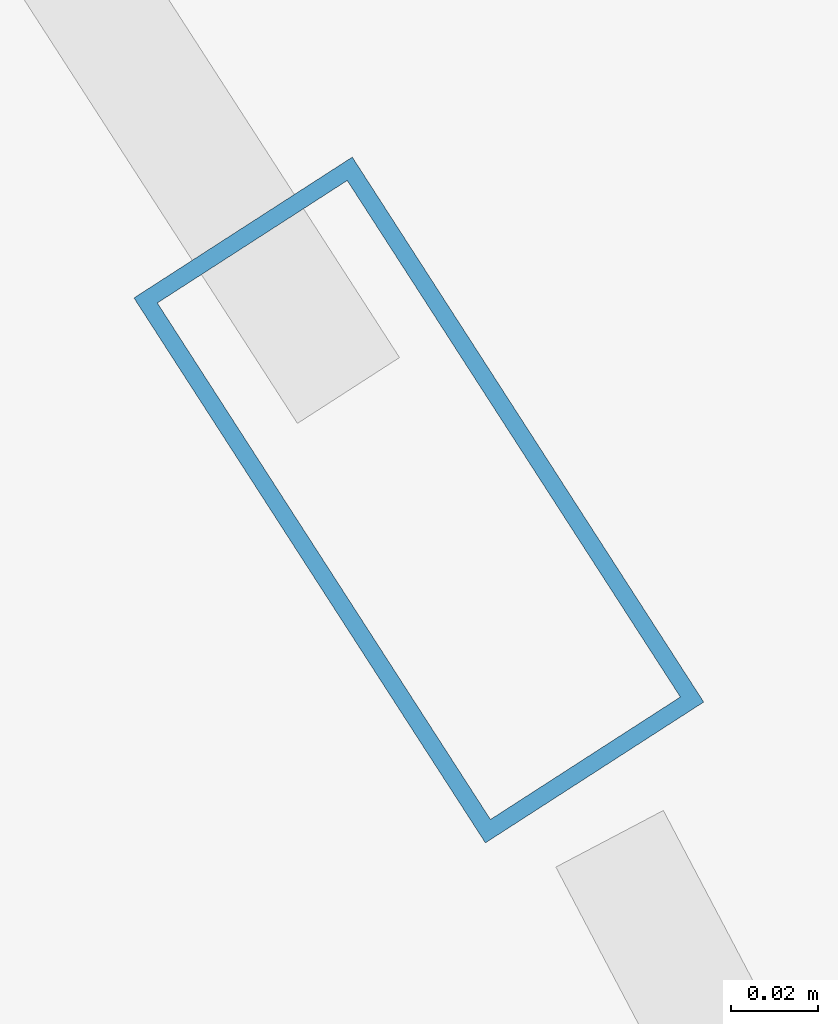
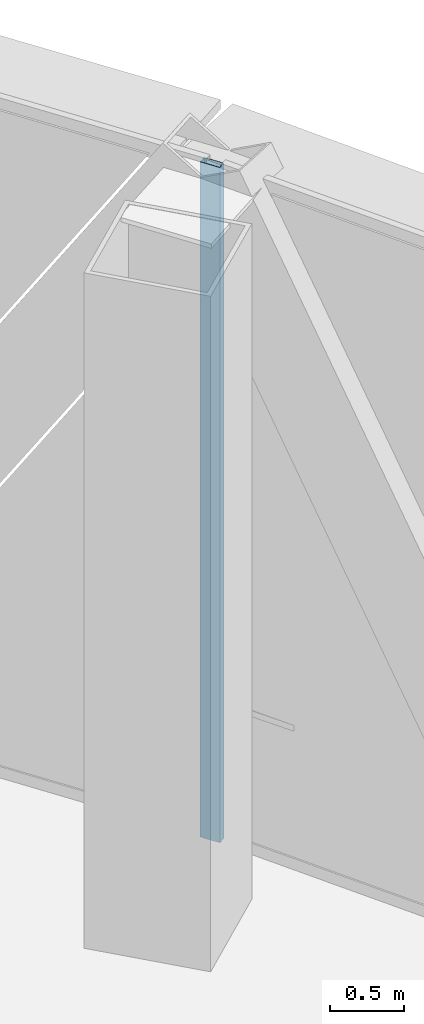
# One storey, part 20 of 38: 1 member, 1 element without a shape of its own.
"""IFC4 building model written with IfcOpenShell, lengths in metres."""

import ifcopenshell
import ifcopenshell.guid

model = None  # the IFC model being written
_history = None  # IfcOwnerHistory: only IFC2X3 demands one
_inside = {}  # id of a spatial element -> (the spatial element, [elements in it])
_under = {}  # id of a project, library or spatial element -> (it, [spatial elements below it])
_declared = {}  # id of a project -> (the project, [libraries it declares])
_typed = {}  # id of a type object -> (the type object, [elements of that type])
_made_of = {}  # id of a material, layer set ... -> (it, [elements and type objects made of it])


def new_model(schema):
    """Start an empty IFC model of exactly this schema.

    Asked for "IFC4X3", IfcOpenShell would pick the latest addendum, in which some entities
    have other attributes; the version numbers below select the first issue.
    IFC2X3 requires an IfcOwnerHistory on every rooted entity: one is made here for all.
    """
    global model, _history
    if schema == "IFC4X3":
        model = ifcopenshell.file(schema_version=(4, 3, 0, 0))
    else:
        model = ifcopenshell.file(schema=schema)
    _inside.clear()
    _under.clear()
    _declared.clear()
    _typed.clear()
    _made_of.clear()
    _history = None
    if model.schema == "IFC2X3":
        org = make("IfcOrganization", Name="unknown")
        user = make(
            "IfcPersonAndOrganization",
            ThePerson=make("IfcPerson", FamilyName="unknown"),
            TheOrganization=org,
        )
        app = make(
            "IfcApplication",
            ApplicationDeveloper=org,
            Version="unknown",
            ApplicationFullName="unknown",
            ApplicationIdentifier="unknown",
        )
        _history = make(
            "IfcOwnerHistory",
            OwningUser=user,
            OwningApplication=app,
            ChangeAction="ADDED",
            CreationDate=0,
        )
    return model


def make(cls, **values):
    """One entity of the class cls with the attributes given. An attribute that is None is left unset."""
    return model.create_entity(
        cls, **{name: value for name, value in values.items() if value is not None}
    )


def rooted(cls, **values):
    """An entity with a GlobalId (a new one), such as an element, a storey or a relation."""
    return make(cls, GlobalId=ifcopenshell.guid.new(), OwnerHistory=_history, **values)


def si_unit(unit_type, name, prefix=None):
    """IfcSIUnit, for example si_unit("LENGTHUNIT", "METRE", prefix="MILLI")."""
    return make("IfcSIUnit", UnitType=unit_type, Prefix=prefix, Name=name)


def assignment(units):
    """IfcUnitAssignment: the units of a project."""
    return None if units is None else make("IfcUnitAssignment", Units=units)


def point(xyz):
    """IfcCartesianPoint."""
    return None if xyz is None else make("IfcCartesianPoint", Coordinates=xyz)


def direction(xyz):
    """IfcDirection."""
    return None if xyz is None else make("IfcDirection", DirectionRatios=xyz)


def frame(location, z_axis=None, x_axis=None):
    """IfcAxis2Placement3D, a coordinate frame: its origin and axes. An axis left out is left unset."""
    return make(
        "IfcAxis2Placement3D",
        Location=point(location),
        Axis=direction(z_axis),
        RefDirection=direction(x_axis),
    )


def frame_2d(location, x_axis=None):
    """IfcAxis2Placement2D, a coordinate frame in the plane: its origin and x axis."""
    return make(
        "IfcAxis2Placement2D", Location=point(location), RefDirection=direction(x_axis)
    )


def origin():
    """The frame at (0, 0, 0) with its axes left unset."""
    return frame((0.0, 0.0, 0.0))


def origin_2d():
    """The frame at (0, 0) in the plane with its x axis left unset."""
    return frame_2d((0.0, 0.0))


def place(relative_to, where):
    """IfcLocalPlacement: puts the frame where relative to a parent placement (None: the world)."""
    return make(
        "IfcLocalPlacement", PlacementRelTo=relative_to, RelativePlacement=where
    )


def context(
    kind, dimensions, precision=None, world=None, true_north=None, identifier=None
):
    """IfcGeometricRepresentationContext, for example the 3D "Model" context."""
    return make(
        "IfcGeometricRepresentationContext",
        ContextIdentifier=identifier,
        ContextType=kind,
        CoordinateSpaceDimension=dimensions,
        Precision=precision,
        WorldCoordinateSystem=world,
        TrueNorth=true_north,
    )


def subcontext(parent, identifier, kind, view, scale=None):
    """IfcGeometricRepresentationSubContext, for example "Body" below "Model"."""
    return make(
        "IfcGeometricRepresentationSubContext",
        ContextIdentifier=identifier,
        ContextType=kind,
        ParentContext=parent,
        TargetScale=scale,
        TargetView=view,
    )


def project(units=None, contexts=None):
    """IfcProject with its units and contexts."""
    return rooted(
        "IfcProject",
        Name="project",
        RepresentationContexts=contexts,
        UnitsInContext=assignment(units),
    )


def spatial(cls, under=None, at=None, **own):
    """A site, building, storey or space (cls), placed at a placement, below another one or the project."""
    s = rooted(cls, ObjectPlacement=at, **own)
    if under is not None:
        _under.setdefault(under.id(), (under, []))[1].append(s)
    return s


def profile(cls, at=None, kind="AREA", **sizes):
    """A parametric profile (cls). Its sizes go by their IFC names, for example OverallWidth=200.0."""
    return make(cls, ProfileType=kind, Position=at, **sizes)


def hollow_rectangle(**sizes):
    """IfcRectangleHollowProfileDef."""
    return profile("IfcRectangleHollowProfileDef", **sizes)


def extrude(swept, where, along, depth):
    """IfcExtrudedAreaSolid: the profile swept, set in the frame where, extruded along a direction by depth."""
    return make(
        "IfcExtrudedAreaSolid",
        SweptArea=swept,
        Position=where,
        ExtrudedDirection=direction(along),
        Depth=depth,
    )


def shape(context_of_items, identifier, shape_type, items):
    """IfcShapeRepresentation: the items that make up one representation, for example the "Body"."""
    return make(
        "IfcShapeRepresentation",
        ContextOfItems=context_of_items,
        RepresentationIdentifier=identifier,
        RepresentationType=shape_type,
        Items=items,
    )


def source(mapping_origin, context_of_items, identifier, shape_type, items):
    """IfcRepresentationMap: a shape defined once, which mapped items show again and again."""
    return make(
        "IfcRepresentationMap",
        MappingOrigin=mapping_origin,
        MappedRepresentation=shape(context_of_items, identifier, shape_type, items),
    )


def transform(
    local_origin,
    x_axis=None,
    y_axis=None,
    z_axis=None,
    scale=None,
    scale2=None,
    scale3=None,
    uniform=True,
):
    """IfcCartesianTransformationOperator3D, or its non-uniform kind. x_axis, y_axis, z_axis: its Axis1, 2, 3."""
    if uniform:
        return make(
            "IfcCartesianTransformationOperator3D",
            Axis1=direction(x_axis),
            Axis2=direction(y_axis),
            LocalOrigin=point(local_origin),
            Scale=scale,
            Axis3=direction(z_axis),
        )
    return make(
        "IfcCartesianTransformationOperator3DnonUniform",
        Axis1=direction(x_axis),
        Axis2=direction(y_axis),
        LocalOrigin=point(local_origin),
        Scale=scale,
        Axis3=direction(z_axis),
        Scale2=scale2,
        Scale3=scale3,
    )


def mapped(mapping_source, mapping_target):
    """IfcMappedItem: shows the shape of a source again, moved by a transform."""
    return make(
        "IfcMappedItem", MappingSource=mapping_source, MappingTarget=mapping_target
    )


def material(Name=None, Category=None):
    """IfcMaterial."""
    return make("IfcMaterial", Name=Name, Category=Category)


def layer(
    of_material, thickness, ventilated=None, Name=None, Category=None, Priority=None
):
    """IfcMaterialLayer: one layer of a wall or slab, of a material (None: an air gap)."""
    return make(
        "IfcMaterialLayer",
        Material=of_material,
        LayerThickness=thickness,
        IsVentilated=ventilated,
        Name=Name,
        Category=Category,
        Priority=Priority,
    )


def layer_set(layers, Name=None):
    """IfcMaterialLayerSet."""
    return make("IfcMaterialLayerSet", MaterialLayers=layers, LayerSetName=Name)


def material_profile(
    of_material, cross_section, Name=None, Category=None, Priority=None
):
    """IfcMaterialProfile: a cross section and its material."""
    return make(
        "IfcMaterialProfile",
        Name=Name,
        Material=of_material,
        Profile=cross_section,
        Priority=Priority,
        Category=Category,
    )


def profile_set(profiles, Name=None, composite=None):
    """IfcMaterialProfileSet."""
    return make(
        "IfcMaterialProfileSet",
        Name=Name,
        MaterialProfiles=profiles,
        CompositeProfile=composite,
    )


def made_of(thing, what):
    """Note that an element or type object is made of a material, layer set ...; save() writes the relation."""
    if what is not None:
        _made_of.setdefault(what.id(), (what, []))[1].append(thing)
    return thing


def type_object(cls, material=None, **own):
    """A type object (cls), such as IfcWallType, which elements share."""
    return made_of(rooted(cls, **own), material)


def element(
    cls,
    number,
    at=None,
    inside=None,
    cuts=None,
    type_object=None,
    material=None,
    context=None,
    identifier="Body",
    shape_type=None,
    held_by="IfcProductDefinitionShape",
    body=None,
    shapes=None,
    **own,
):
    """One element of the class cls, such as IfcWall. Its Tag is "e" and its number.

    at: its placement. inside: the storey or other place that contains it. cuts: it is an
    opening in that element (IfcRelVoidsElement). A single representation is given by context,
    identifier, shape_type and body (its items); several are given by shapes. held_by: the class
    of the entity that holds the representations. save() writes the other relations.
    """
    e = rooted(cls, Tag="e%d" % number, ObjectPlacement=at, **own)
    if body is not None:
        shapes = [shape(context, identifier, shape_type, body)]
    if shapes is not None:
        e.Representation = make(held_by, Representations=shapes)
    if inside is not None:
        _inside.setdefault(inside.id(), (inside, []))[1].append(e)
    if cuts is not None:
        rooted(
            "IfcRelVoidsElement", RelatingBuildingElement=cuts, RelatedOpeningElement=e
        )
    if type_object is not None:
        _typed.setdefault(type_object.id(), (type_object, []))[1].append(e)
    return made_of(e, material)


def aggregate(whole, parts):
    """IfcRelAggregates: a whole, such as a stair, and the parts it consists of."""
    return rooted("IfcRelAggregates", RelatingObject=whole, RelatedObjects=parts)


def save(model, path):
    """Write the relations noted so far, then the file.

    IfcRelAggregates (storeys below a building ...), IfcRelContainedInSpatialStructure (elements
    in a storey), IfcRelDefinesByType, IfcRelAssociatesMaterial and IfcRelDeclares: one each for
    every whole, place, type object, material and project.
    """
    for whole, parts in _under.values():
        aggregate(whole, parts)
    for where, things in _inside.values():
        rooted(
            "IfcRelContainedInSpatialStructure",
            RelatedElements=things,
            RelatingStructure=where,
        )
    for kind, things in _typed.values():
        rooted("IfcRelDefinesByType", RelatedObjects=things, RelatingType=kind)
    for what, things in _made_of.values():
        rooted("IfcRelAssociatesMaterial", RelatedObjects=things, RelatingMaterial=what)
    for by, libraries in _declared.values():
        rooted("IfcRelDeclares", RelatingContext=by, RelatedDefinitions=libraries)
    model.write(path)


model = new_model("IFC4")

# Units and contexts
model_context = context("Model", 3, precision=1e-05, world=origin(), true_north=direction((0.0, 1.0)))
body_context = subcontext(model_context, "Body", "Model", "MODEL_VIEW")
ifc_project = project(units=[si_unit("LENGTHUNIT", "METRE"), si_unit("AREAUNIT", "SQUARE_METRE"), si_unit("VOLUMEUNIT", "CUBIC_METRE"), si_unit("PLANEANGLEUNIT", "RADIAN"), si_unit("MASSUNIT", "GRAM", prefix="KILO"), si_unit("THERMODYNAMICTEMPERATUREUNIT", "KELVIN"), si_unit("POWERUNIT", "WATT")], contexts=[model_context])

# Site, building, storey
site_placement = place(None, origin())
site = spatial("IfcSite", under=ifc_project, at=site_placement, CompositionType="ELEMENT")
building_placement = place(site_placement, origin())
building = spatial("IfcBuilding", under=site, at=building_placement, Name="Yunzhuo Pagoda Commons", CompositionType="ELEMENT")
storey_placement = place(building_placement, frame((0.0, 0.0, 218.9599609375)))
storey = spatial("IfcBuildingStorey", under=building, at=storey_placement, Name="L55", CompositionType="ELEMENT", Elevation=218.9599609375)

# Curtain wall, member
ifc_material = material(Name="Anodized aluminium 6063-T6", Category="aluminium")
ifc_layer = layer(ifc_material, 0.14990234375)
ifc_layer_set = layer_set([ifc_layer], Name="Anodized aluminium 6063-T6")
curtain_wall_type = type_object("IfcCurtainWallType", Name="CW-MID Mid-Zone Ribbon Curtain Wall", PredefinedType="NOTDEFINED", material=ifc_layer_set)
curtain_wall_placement = place(storey_placement, origin())
curtain_wall = element("IfcCurtainWall", 1, at=curtain_wall_placement, inside=storey, type_object=curtain_wall_type, Name="L55 curtain wall CW-L55-F2B4", PredefinedType="NOTDEFINED")
ifc_material_profile = material_profile(ifc_material, hollow_rectangle(XDim=0.06005859375, YDim=0.14990234375, WallThickness=0.00390625, at=origin_2d()), Name="Anodized aluminium 6063-T6")
ifc_profile_set = profile_set([ifc_material_profile], Name="Anodized aluminium 6063-T6")
member_type = type_object("IfcMemberType", Name="CW-MID-M Mullion RHS 150x60x4", PredefinedType="MULLION", material=ifc_profile_set)
shared_shape = source(origin(), body_context, "Body", "SweptSolid", [
    extrude(hollow_rectangle(XDim=0.06005859375, YDim=0.14990234375, WallThickness=0.00390625, at=origin_2d()), origin(), (0.0, 0.0, 1.0), 5.570068359375),
])
member_placement = place(storey_placement, frame((71.414794921875, 54.822509765625, 0.0), z_axis=(0.0, 0.0, 1.0), x_axis=(-0.840364735299, -0.542021320305, 0.0)))
member = element("IfcMember", 2, at=member_placement, type_object=member_type, Name="CW mullion 1", PredefinedType="MULLION", context=body_context, shape_type="MappedRepresentation", body=[
    mapped(shared_shape, transform((0.0, 0.0, 0.0), scale=1.0)),
])
aggregate(curtain_wall, [member])

save(model, "model.ifc")
